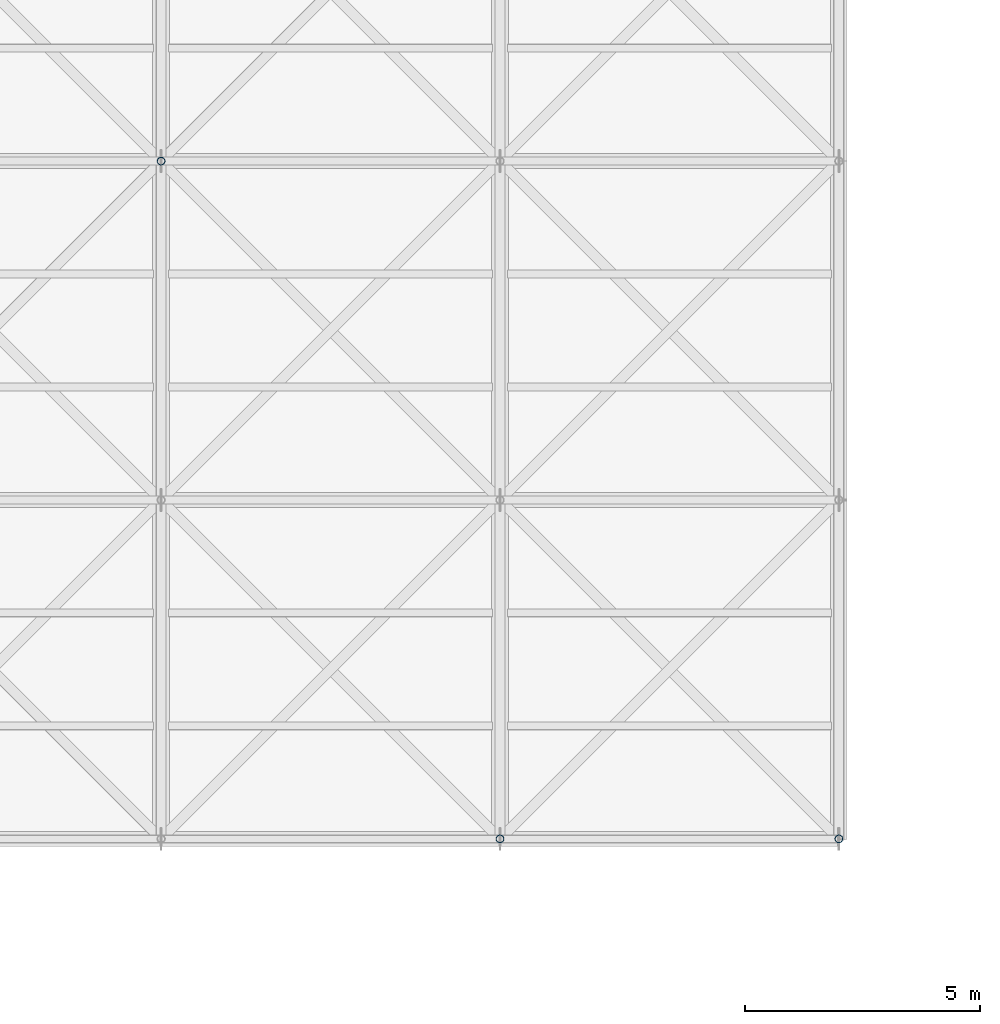
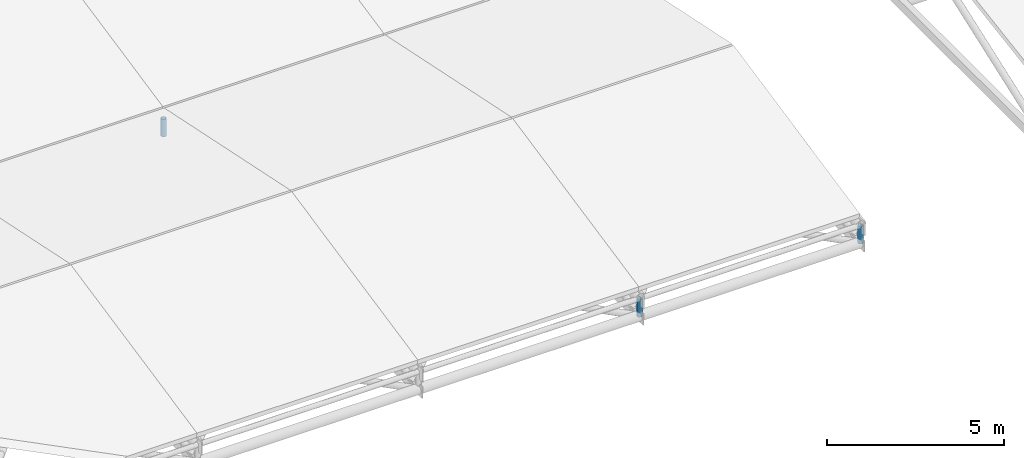
# One storey, part 50 of 72: 3 members.
"""IFC4 building model written with IfcOpenShell, lengths in metres."""

from ifc_helpers import new_model, si_unit, direction, frame, origin, origin_2d, place, context, subcontext, project, spatial, hollow_circle, extrude, material, material_profile, profile_set, type_object, element, save


model = new_model("IFC4")

# Units and contexts
model_context = context("Model", 3, precision=1e-05, world=origin(), true_north=direction((0.0, 1.0)))
body_context = subcontext(model_context, "Body", "Model", "MODEL_VIEW")
ifc_project = project(units=[si_unit("LENGTHUNIT", "METRE"), si_unit("AREAUNIT", "SQUARE_METRE"), si_unit("VOLUMEUNIT", "CUBIC_METRE"), si_unit("PLANEANGLEUNIT", "RADIAN"), si_unit("MASSUNIT", "GRAM", prefix="KILO")], contexts=[model_context])

# Site, building, storey
site_placement = place(None, origin())
site = spatial("IfcSite", under=ifc_project, at=site_placement, CompositionType="ELEMENT")
building_placement = place(site_placement, origin())
building = spatial("IfcBuilding", under=site, at=building_placement, Name="Vaelcorin Mobility Hub", CompositionType="ELEMENT")
storey_placement = place(building_placement, frame((0.0, 0.0, 25.800048828125)))
storey = spatial("IfcBuildingStorey", under=building, at=storey_placement, Name="RF", CompositionType="ELEMENT", Elevation=25.800048828125)

# Members
ifc_material = material(Name="Steel ASTM A500 Grade C", Category="steel")
ifc_material_profile = material_profile(ifc_material, hollow_circle(Radius=0.084228515625, WallThickness=0.0078125, at=origin_2d()), Name="HSS6.625X0.312")
ifc_profile_set = profile_set([ifc_material_profile], Name="Steel ASTM A500 Grade C")
member_type = type_object("IfcMemberType", Name="TR-POST-6", PredefinedType="POST", material=ifc_profile_set)
for number, where, z_axis, x_axis, name in (
    (1, (100.800048828125, 98.39990234375, -2.10009765625), (0.0, 0.0, 1.0), (1.0, 0.0, 0.0), "Sports Pavilion Roof Truss Post 9-2"),
    (2, (108.0, 84.0, -2.10009765625), (0.0, 0.0, 1.0), (1.0, 0.0, 0.0), "Sports Pavilion Roof Truss Post 10-0"),
    (3, (115.199951171875, 84.0, -2.10009765625), (0.0, 0.0, 1.0), (1.0, 0.0, 0.0), "Sports Pavilion Roof Truss Post 11-0"),
):
    element("IfcMember", number, at=place(storey_placement, frame(where, z_axis=z_axis, x_axis=x_axis)), inside=storey, type_object=member_type, Name=name, PredefinedType="POST", context=body_context, shape_type="SweptSolid", body=[
        extrude(hollow_circle(Radius=0.084228515625, WallThickness=0.0078125, at=origin_2d()), origin(), (0.0, 0.0, 1.0), 0.60009765625),
    ])

save(model, "model.ifc")
